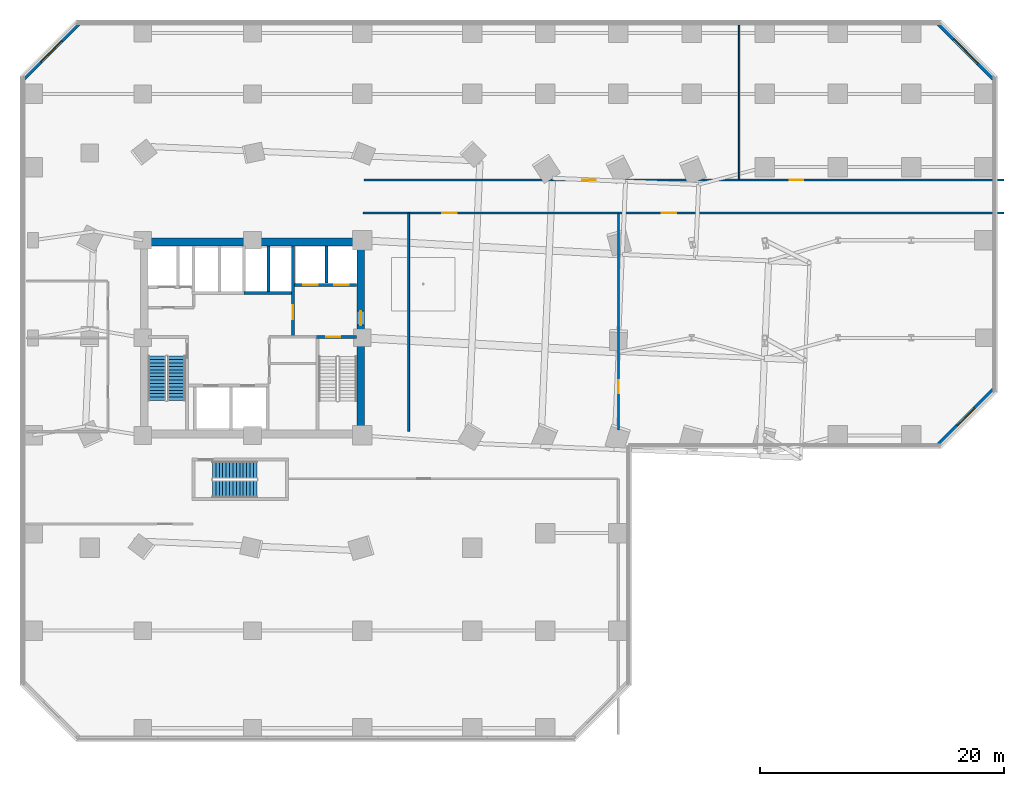
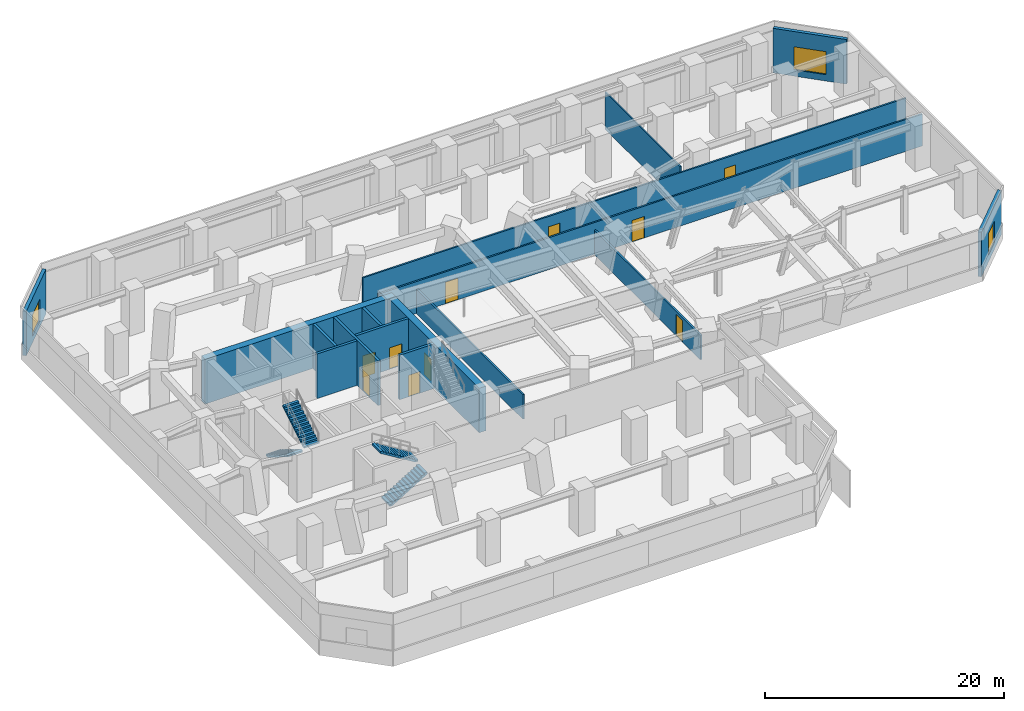
# One storey, part 5 of 14: 16 walls, 10 doors, 4 stair flights, 3 windows, 13 openings, 2 elements without a shape of their own.
"""IFC4 building model written with IfcOpenShell, lengths in metres."""

from ifc_helpers import new_model, si_unit, direction, frame, frame_2d, origin, place, context, subcontext, project, spatial, polyline, rectangle, outline, extrude, source, transform, mapped, material, layer, layer_set, type_object, element, fill, aggregate, save


model = new_model("IFC4")

# Units and contexts
model_context = context("Model", 3, precision=1e-05, world=origin(), true_north=direction((0.0, 1.0)))
body_context = subcontext(model_context, "Body", "Model", "MODEL_VIEW")
ifc_project = project(units=[si_unit("LENGTHUNIT", "METRE"), si_unit("AREAUNIT", "SQUARE_METRE"), si_unit("VOLUMEUNIT", "CUBIC_METRE"), si_unit("PLANEANGLEUNIT", "RADIAN"), si_unit("MASSUNIT", "GRAM", prefix="KILO")], contexts=[model_context])

# Site, building, storey
site_placement = place(None, origin())
site = spatial("IfcSite", under=ifc_project, at=site_placement, CompositionType="ELEMENT")
building_placement = place(site_placement, origin())
building = spatial("IfcBuilding", under=site, at=building_placement, Name="Torre Montelarca", CompositionType="ELEMENT")
storey_placement = place(building_placement, frame((0.0, 0.0, 28.0)))
storey = spatial("IfcBuildingStorey", under=building, at=storey_placement, Name="L06", CompositionType="ELEMENT", Elevation=28.0)

# Wall, opening, door
ifc_material_1 = material(Name="Concrete C40/50", Category="concrete")
ifc_layer_1 = layer(ifc_material_1, 0.25, Name="Concrete C40/50", Category="concrete")
ifc_layer_set_1 = layer_set([ifc_layer_1], Name="Concrete C40/50")
wall_type_1 = type_object("IfcWallType", Name="CW-SHAFT-250", PredefinedType="SHEAR", material=ifc_layer_set_1)
wall_1_placement = place(storey_placement, frame((23.18994140625, 32.074951171875, 0.0), z_axis=(0.0, 0.0, 1.0), x_axis=(1.0, 0.0, 0.0)))
wall_1 = element("IfcWall", 1, at=wall_1_placement, inside=storey, type_object=wall_type_1, Name="L06 Core Shear Wall SH-ST2-N", PredefinedType="SHEAR", context=body_context, shape_type="SweptSolid", body=[
    extrude(rectangle(XDim=3.35009765625, YDim=0.25, at=frame_2d((1.675048828125, 0.0))), origin(), (0.0, 0.0, 1.0), 4.56005859375),
])
opening_1_placement = place(wall_1_placement, frame((0.85009765625, 0.0, 0.0)))
opening_1 = element("IfcOpeningElement", 2, at=opening_1_placement, cuts=wall_1, Name="Opening FD-ST1", PredefinedType="OPENING", context=body_context, shape_type="SweptSolid", body=[
    extrude(rectangle(XDim=1.14990234375, YDim=2.199951171875, at=frame_2d((0.574951171875, 1.10009765625))), frame((0.0, 0.135009765625, 0.0), z_axis=(0.0, -1.0, 0.0), x_axis=(1.0, 0.0, 0.0)), (0.0, 0.0, 1.0), 0.27001953125),
])
ifc_material_2 = material(Name="Galvanized steel fire door", Category="steel")
door_type_1 = type_object("IfcDoorType", Name="DR-STAIR-115", OperationType="NOTDEFINED", PredefinedType="DOOR", material=ifc_material_2)
shared_shape_1 = source(origin(), body_context, "Body", "SweptSolid", [
    extrude(rectangle(XDim=1.14990234375, YDim=2.199951171875, at=frame_2d((0.574951171875, 1.10009765625))), frame((0.0, 0.02490234375, 0.0), z_axis=(0.0, -1.0, 0.0), x_axis=(1.0, 0.0, 0.0)), (0.0, 0.0, 1.0), 0.050048828125),
])
door_1_placement = place(opening_1_placement, origin())
door_1 = element("IfcDoor", 3, at=door_1_placement, inside=storey, type_object=door_type_1, Name="L06 Exit Stair ST2 Fire Door", OperationType="SINGLE_SWING_RIGHT", OverallHeight=2.199951171875, OverallWidth=1.14990234375, PredefinedType="DOOR", context=body_context, shape_type="MappedRepresentation", body=[
    mapped(shared_shape_1, transform((0.0, 0.0, 0.0), scale=1.0)),
])
fill(opening_1, door_1)

wall_2_placement = place(storey_placement, frame((21.320068359375, 32.1201171875, 0.0), z_axis=(0.0, 0.0, 1.0), x_axis=(0.0, 1.0, 0.0)))
wall_2 = element("IfcWall", 4, at=wall_2_placement, inside=storey, type_object=wall_type_1, Name="L06 Core Shear Wall SH-FFL-W", PredefinedType="SHEAR", context=body_context, shape_type="SweptSolid", body=[
    extrude(rectangle(XDim=7.419921875, YDim=0.25, at=frame_2d((3.7099609375, 0.0))), origin(), (0.0, 0.0, 1.0), 4.56005859375),
])
opening_2_placement = place(wall_2_placement, frame((1.39990234375, 0.0, 0.0)))
opening_2 = element("IfcOpeningElement", 5, at=opening_2_placement, cuts=wall_2, Name="Opening FD-LB1", PredefinedType="OPENING", context=body_context, shape_type="SweptSolid", body=[
    extrude(rectangle(XDim=1.14990234375, YDim=2.199951171875, at=frame_2d((0.574951171875, 1.10009765625))), frame((0.0, 0.135009765625, 0.0), z_axis=(0.0, -1.0, 0.0), x_axis=(1.0, 0.0, 0.0)), (0.0, 0.0, 1.0), 0.27001953125),
])
ifc_material_3 = material(Name="Acoustic timber-veneered fire door", Category="wood")
door_type_2 = type_object("IfcDoorType", Name="DR-LOBBY-115", OperationType="NOTDEFINED", PredefinedType="DOOR", material=ifc_material_3)
shared_shape_2 = source(origin(), body_context, "Body", "SweptSolid", [
    extrude(rectangle(XDim=1.14990234375, YDim=2.199951171875, at=frame_2d((0.574951171875, 1.10009765625))), frame((0.0, 0.02490234375, 0.0), z_axis=(0.0, -1.0, 0.0), x_axis=(1.0, 0.0, 0.0)), (0.0, 0.0, 1.0), 0.050048828125),
])
door_2_placement = place(opening_2_placement, origin())
door_2 = element("IfcDoor", 6, at=door_2_placement, inside=storey, type_object=door_type_2, Name="L06 Lift Lobby to Firefighting Lobby Smoke Door", OperationType="SINGLE_SWING_LEFT", OverallHeight=2.199951171875, OverallWidth=1.14990234375, PredefinedType="DOOR", context=body_context, shape_type="MappedRepresentation", body=[
    mapped(shared_shape_2, transform((0.0, 0.0, 0.0), scale=1.0)),
])
fill(opening_2, door_2)

# Wall, openings, doors
wall_3_placement = place(storey_placement, frame((21.449951171875, 36.35009765625, 0.0), z_axis=(0.0, 0.0, 1.0), x_axis=(1.0, 0.0, 0.0)))
wall_3 = element("IfcWall", 7, at=wall_3_placement, inside=storey, type_object=wall_type_1, Name="L06 Core Shear Wall SH-FF-S", PredefinedType="SHEAR", context=body_context, shape_type="SweptSolid", body=[
    extrude(rectangle(XDim=5.090087890625, YDim=0.25, at=frame_2d((2.544921875, 0.0))), origin(), (0.0, 0.0, 1.0), 4.56005859375),
])
opening_3_placement = place(wall_3_placement, frame((0.699951171875, 0.0, 0.0)))
opening_3 = element("IfcOpeningElement", 8, at=opening_3_placement, cuts=wall_3, Name="Opening LD-120", PredefinedType="OPENING", context=body_context, shape_type="SweptSolid", body=[
    extrude(rectangle(XDim=1.199951171875, YDim=2.199951171875, at=frame_2d((0.60009765625, 1.10009765625))), frame((0.0, 0.135009765625, 0.0), z_axis=(0.0, -1.0, 0.0), x_axis=(1.0, 0.0, 0.0)), (0.0, 0.0, 1.0), 0.27001953125),
])
opening_4_placement = place(wall_3_placement, frame((3.25, 0.0, 0.0)))
opening_4 = element("IfcOpeningElement", 9, at=opening_4_placement, cuts=wall_3, Name="Opening LD-120", PredefinedType="OPENING", context=body_context, shape_type="SweptSolid", body=[
    extrude(rectangle(XDim=1.199951171875, YDim=2.199951171875, at=frame_2d((0.60009765625, 1.10009765625))), frame((0.0, 0.135009765625, 0.0), z_axis=(0.0, -1.0, 0.0), x_axis=(1.0, 0.0, 0.0)), (0.0, 0.0, 1.0), 0.27001953125),
])
ifc_material_4 = material(Name="Brushed stainless steel AISI 316", Category="steel")
door_type_3 = type_object("IfcDoorType", Name="DR-LIFT-120", OperationType="SLIDING_TO_RIGHT", PredefinedType="DOOR", material=ifc_material_4)
shared_shape_3 = source(origin(), body_context, "Body", "SweptSolid", [
    extrude(rectangle(XDim=1.199951171875, YDim=2.199951171875, at=frame_2d((0.60009765625, 1.10009765625))), frame((0.0, 0.02490234375, 0.0), z_axis=(0.0, -1.0, 0.0), x_axis=(1.0, 0.0, 0.0)), (0.0, 0.0, 1.0), 0.050048828125),
])
door_3_placement = place(opening_3_placement, origin())
door_3 = element("IfcDoor", 10, at=door_3_placement, inside=storey, type_object=door_type_3, Name="L06 Lift Landing Sliding Door FF-1", OperationType="SLIDING_TO_LEFT", OverallHeight=2.199951171875, OverallWidth=1.199951171875, PredefinedType="DOOR", context=body_context, shape_type="MappedRepresentation", body=[
    mapped(shared_shape_3, transform((0.0, 0.0, 0.0), scale=1.0)),
])
fill(opening_3, door_3)
door_4_placement = place(opening_4_placement, origin())
door_4 = element("IfcDoor", 11, at=door_4_placement, inside=storey, type_object=door_type_3, Name="L06 Lift Landing Sliding Door FF-2", OperationType="SLIDING_TO_RIGHT", OverallHeight=2.199951171875, OverallWidth=1.199951171875, PredefinedType="DOOR", context=body_context, shape_type="MappedRepresentation", body=[
    mapped(shared_shape_3, transform((0.0, 0.0, 0.0), scale=1.0)),
])
fill(opening_4, door_4)

# Walls
wall_4_placement = place(storey_placement, frame((24.080078125, 36.47998046875, 0.0), z_axis=(0.0, 0.0, 1.0), x_axis=(0.0, 1.0, 0.0)))
element("IfcWall", 12, at=wall_4_placement, inside=storey, type_object=wall_type_1, Name="L06 Core Shear Wall SH-FF-M", PredefinedType="SHEAR", context=body_context, shape_type="SweptSolid", body=[
    extrude(rectangle(XDim=3.06005859375, YDim=0.25, at=frame_2d((1.530029296875, 0.0))), origin(), (0.0, 0.0, 1.0), 4.56005859375),
])
wall_5_placement = place(storey_placement, frame((17.320068359375, 35.679931640625, 0.0), z_axis=(0.0, 0.0, 1.0), x_axis=(1.0, 0.0, 0.0)))
element("IfcWall", 13, at=wall_5_placement, inside=storey, type_object=wall_type_1, Name="L06 Core Shear Wall SH-PLH-S", PredefinedType="SHEAR", context=body_context, shape_type="SweptSolid", body=[
    extrude(rectangle(XDim=3.869873046875, YDim=0.25, at=frame_2d((1.93505859375, 0.0))), origin(), (0.0, 0.0, 1.0), 4.56005859375),
])
wall_6_placement = place(storey_placement, frame((19.320068359375, 35.81005859375, 0.0), z_axis=(0.0, 0.0, 1.0), x_axis=(0.0, 1.0, 0.0)))
element("IfcWall", 14, at=wall_6_placement, inside=storey, type_object=wall_type_1, Name="L06 Core Shear Wall SH-PLH-M", PredefinedType="SHEAR", context=body_context, shape_type="SweptSolid", body=[
    extrude(rectangle(XDim=3.72998046875, YDim=0.25, at=frame_2d((1.864990234375, 0.0))), origin(), (0.0, 0.0, 1.0), 4.56005859375),
])

# Wall, opening, door
ifc_material_5 = material(Name="Concrete C70/85", Category="concrete")
ifc_layer_2 = layer(ifc_material_5, 0.64990234375, Name="Concrete C70/85", Category="concrete")
ifc_layer_set_2 = layer_set([ifc_layer_2], Name="Concrete C70/85")
wall_type_2 = type_object("IfcWallType", Name="CW-SHEAR-650", PredefinedType="SHEAR", material=ifc_layer_set_2)
wall_7_placement = place(storey_placement, frame((26.875, 24.449951171875, 0.0), z_axis=(0.0, 0.0, 1.0), x_axis=(0.0, 1.0, 0.0)))
wall_7 = element("IfcWall", 15, at=wall_7_placement, inside=storey, type_object=wall_type_2, Name="L06 Core Shear Wall CW-E", PredefinedType="SHEAR", context=body_context, shape_type="SweptSolid", body=[
    extrude(rectangle(XDim=15.10009765625, YDim=0.64990234375, at=frame_2d((7.550048828125, 0.0))), origin(), (0.0, 0.0, 1.0), 4.56005859375),
])
opening_5_placement = place(wall_7_placement, frame((8.60009765625, 0.0, 0.0)))
opening_5 = element("IfcOpeningElement", 16, at=opening_5_placement, cuts=wall_7, Name="Opening FD-LB1", PredefinedType="OPENING", context=body_context, shape_type="SweptSolid", body=[
    extrude(rectangle(XDim=1.14990234375, YDim=2.199951171875, at=frame_2d((0.574951171875, 1.10009765625))), frame((0.0, 0.3349609375, 0.0), z_axis=(0.0, -1.0, 0.0), x_axis=(1.0, 0.0, 0.0)), (0.0, 0.0, 1.0), 0.669921875),
])
door_5_placement = place(opening_5_placement, origin())
door_5 = element("IfcDoor", 17, at=door_5_placement, inside=storey, type_object=door_type_2, Name="L06 Firefighting Lift Lobby Corridor Fire Door", OperationType="SINGLE_SWING_RIGHT", OverallHeight=2.199951171875, OverallWidth=1.14990234375, PredefinedType="DOOR", context=body_context, shape_type="MappedRepresentation", body=[
    mapped(shared_shape_2, transform((0.0, 0.0, 0.0), scale=1.0)),
])
fill(opening_5, door_5)

# Wall
wall_8_placement = place(storey_placement, frame((8.800048828125, 39.875, 0.0), z_axis=(0.0, 0.0, 1.0), x_axis=(1.0, 0.0, 0.0)))
element("IfcWall", 18, at=wall_8_placement, inside=storey, type_object=wall_type_2, Name="L06 Core Shear Wall CW-N1", PredefinedType="SHEAR", context=body_context, shape_type="SweptSolid", body=[
    extrude(rectangle(XDim=18.39990234375, YDim=0.64990234375, at=frame_2d((9.199951171875, 0.0))), origin(), (0.0, 0.0, 1.0), 4.56005859375),
])

# Wall, opening, window
ifc_material_6 = material(Name="Precast concrete C45/55", Category="concrete")
ifc_layer_3 = layer(ifc_material_6, 0.320068359375, Name="Precast concrete C45/55", Category="concrete")
ifc_layer_set_3 = layer_set([ifc_layer_3], Name="Precast concrete C45/55")
wall_type_3 = type_object("IfcWallType", Name="EW-CONC-320", PredefinedType="SOLIDWALL", material=ifc_layer_set_3)
wall_9_placement = place(storey_placement, frame((74.244384765625, 23.255615234375, 0.0), z_axis=(0.0, 0.0, 1.0), x_axis=(0.707106781187, 0.707106781187, 0.0)))
wall_9 = element("IfcWall", 19, at=wall_9_placement, inside=storey, type_object=wall_type_3, Name="L06 Podium Precast Concrete Wall E05", PredefinedType="SOLIDWALL", context=body_context, shape_type="SweptSolid", body=[
    extrude(rectangle(XDim=6.364013671875, YDim=0.320068359375, at=frame_2d((3.18212890625, 0.0))), origin(), (0.0, 0.0, 1.0), 4.56005859375),
])
opening_6_placement = place(wall_9_placement, frame((2.181884765625, 0.0, 0.64990234375)))
opening_6 = element("IfcOpeningElement", 20, at=opening_6_placement, cuts=wall_9, Name="Opening W-08", PredefinedType="OPENING", context=body_context, shape_type="SweptSolid", body=[
    extrude(rectangle(XDim=2.0, YDim=2.25, at=frame_2d((1.0, 1.125))), frame((0.0, 0.169921875, 0.0), z_axis=(0.0, -1.0, 0.0), x_axis=(1.0, 0.0, 0.0)), (0.0, 0.0, 1.0), 0.340087890625),
])
ifc_material_7 = material(Name="Insulated low-E laminated glass in aluminium frame", Category="aluminium")
window_type_1 = type_object("IfcWindowType", Name="WIN-W08", PartitioningType="DOUBLE_PANEL_HORIZONTAL", PredefinedType="WINDOW", material=ifc_material_7)
shared_shape_4 = source(origin(), body_context, "Body", "SweptSolid", [
    extrude(rectangle(XDim=2.0, YDim=2.25, at=frame_2d((1.0, 1.125))), frame((0.0, 0.030029296875, 0.0), z_axis=(0.0, -1.0, 0.0), x_axis=(1.0, 0.0, 0.0)), (0.0, 0.0, 1.0), 0.06005859375),
])
window_1_placement = place(opening_6_placement, origin())
window_1 = element("IfcWindow", 21, at=window_1_placement, inside=storey, type_object=window_type_1, Name="L06 Podium Chamfer Feature Window E05", OverallHeight=2.25, OverallWidth=2.0, PartitioningType="DOUBLE_PANEL_HORIZONTAL", PredefinedType="WINDOW", context=body_context, shape_type="MappedRepresentation", body=[
    mapped(shared_shape_4, transform((0.0, 0.0, 0.0), scale=1.0)),
])
fill(opening_6, window_1)

wall_10_placement = place(storey_placement, frame((78.744384765625, 53.244384765625, 0.0), z_axis=(0.0, 0.0, 1.0), x_axis=(-0.707106781187, 0.707106781187, 0.0)))
wall_10 = element("IfcWall", 22, at=wall_10_placement, inside=storey, type_object=wall_type_3, Name="L06 Podium Precast Concrete Wall E07", PredefinedType="SOLIDWALL", context=body_context, shape_type="SweptSolid", body=[
    extrude(rectangle(XDim=6.364013671875, YDim=0.320068359375, at=frame_2d((3.18212890625, 0.0))), origin(), (0.0, 0.0, 1.0), 4.56005859375),
])
opening_7_placement = place(wall_10_placement, frame((1.781982421875, 0.0, 0.64990234375)))
opening_7 = element("IfcOpeningElement", 23, at=opening_7_placement, cuts=wall_10, Name="Opening W-02", PredefinedType="OPENING", context=body_context, shape_type="SweptSolid", body=[
    extrude(rectangle(XDim=2.800048828125, YDim=2.35009765625, at=frame_2d((1.39990234375, 1.175048828125))), frame((0.0, 0.169921875, 0.0), z_axis=(0.0, -1.0, 0.0), x_axis=(1.0, 0.0, 0.0)), (0.0, 0.0, 1.0), 0.340087890625),
])
window_type_2 = type_object("IfcWindowType", Name="WIN-W02", PartitioningType="DOUBLE_PANEL_VERTICAL", PredefinedType="WINDOW", material=ifc_material_7)
shared_shape_5 = source(origin(), body_context, "Body", "SweptSolid", [
    extrude(rectangle(XDim=2.800048828125, YDim=2.35009765625, at=frame_2d((1.39990234375, 1.175048828125))), frame((0.0, 0.030029296875, 0.0), z_axis=(0.0, -1.0, 0.0), x_axis=(1.0, 0.0, 0.0)), (0.0, 0.0, 1.0), 0.06005859375),
])
window_2_placement = place(opening_7_placement, origin())
window_2 = element("IfcWindow", 24, at=window_2_placement, inside=storey, type_object=window_type_2, Name="L06 Podium Chamfer Feature Window E07", OverallHeight=2.35009765625, OverallWidth=2.800048828125, PartitioningType="DOUBLE_PANEL_VERTICAL", PredefinedType="WINDOW", context=body_context, shape_type="MappedRepresentation", body=[
    mapped(shared_shape_5, transform((0.0, 0.0, 0.0), scale=1.0)),
])
fill(opening_7, window_2)

wall_11_placement = place(storey_placement, frame((3.755615234375, 57.744384765625, 0.0), z_axis=(0.0, 0.0, 1.0), x_axis=(-0.707106781187, -0.707106781187, 0.0)))
wall_11 = element("IfcWall", 25, at=wall_11_placement, inside=storey, type_object=wall_type_3, Name="L06 Podium Precast Concrete Wall E09", PredefinedType="SOLIDWALL", context=body_context, shape_type="SweptSolid", body=[
    extrude(rectangle(XDim=6.364013671875, YDim=0.320068359375, at=frame_2d((3.18212890625, 0.0))), origin(), (0.0, 0.0, 1.0), 4.56005859375),
])
opening_8_placement = place(wall_11_placement, frame((1.98193359375, 0.0, 0.64990234375)))
opening_8 = element("IfcOpeningElement", 26, at=opening_8_placement, cuts=wall_11, Name="Opening W-04", PredefinedType="OPENING", context=body_context, shape_type="SweptSolid", body=[
    extrude(rectangle(XDim=2.39990234375, YDim=2.199951171875, at=frame_2d((1.199951171875, 1.10009765625))), frame((0.0, 0.169921875, 0.0), z_axis=(0.0, -1.0, 0.0), x_axis=(1.0, 0.0, 0.0)), (0.0, 0.0, 1.0), 0.340087890625),
])
window_type_3 = type_object("IfcWindowType", Name="WIN-W04", PartitioningType="DOUBLE_PANEL_VERTICAL", PredefinedType="WINDOW", material=ifc_material_7)
shared_shape_6 = source(origin(), body_context, "Body", "SweptSolid", [
    extrude(rectangle(XDim=2.39990234375, YDim=2.199951171875, at=frame_2d((1.199951171875, 1.10009765625))), frame((0.0, 0.030029296875, 0.0), z_axis=(0.0, -1.0, 0.0), x_axis=(1.0, 0.0, 0.0)), (0.0, 0.0, 1.0), 0.06005859375),
])
window_3_placement = place(opening_8_placement, origin())
window_3 = element("IfcWindow", 27, at=window_3_placement, inside=storey, type_object=window_type_3, Name="L06 Podium Chamfer Feature Window E09", OverallHeight=2.199951171875, OverallWidth=2.39990234375, PartitioningType="DOUBLE_PANEL_VERTICAL", PredefinedType="WINDOW", context=body_context, shape_type="MappedRepresentation", body=[
    mapped(shared_shape_6, transform((0.0, 0.0, 0.0), scale=1.0)),
])
fill(opening_8, window_3)

# Wall
ifc_material_8 = material(Name="Gypsum plasterboard on steel stud", Category="steel")
ifc_layer_4 = layer(ifc_material_8, 0.159912109375, Name="Gypsum plasterboard on steel stud", Category="steel")
ifc_layer_set_4 = layer_set([ifc_layer_4], Name="Gypsum plasterboard on steel stud")
wall_type_4 = type_object("IfcWallType", Name="PW-FIRE-160", PredefinedType="PARTITIONING", material=ifc_layer_set_4)
wall_12_placement = place(storey_placement, frame((30.800048828125, 24.340087890625, 0.0), z_axis=(0.0, 0.0, 1.0), x_axis=(0.0, 1.0, 0.0)))
element("IfcWall", 28, at=wall_12_placement, inside=storey, type_object=wall_type_4, Name="L06 Interior Partition W-L06-CNW", PredefinedType="PARTITIONING", context=body_context, shape_type="SweptSolid", body=[
    extrude(rectangle(XDim=17.869873046875, YDim=0.159912109375, at=frame_2d((8.93505859375, 0.0))), origin(), (0.0, 0.0, 1.0), 2.5048828125),
])

# Wall, openings, doors
wall_13_placement = place(storey_placement, frame((27.06005859375, 42.25, 0.0), z_axis=(0.0, 0.0, 1.0), x_axis=(1.0, 0.0, 0.0)))
wall_13 = element("IfcWall", 29, at=wall_13_placement, inside=storey, type_object=wall_type_4, Name="L06 Interior Partition W-L06-CN1", PredefinedType="PARTITIONING", context=body_context, shape_type="SweptSolid", body=[
    extrude(rectangle(XDim=52.550048828125, YDim=0.159912109375, at=frame_2d((26.27490234375, 0.0))), origin(), (0.0, 0.0, 1.0), 3.2548828125),
])
opening_9_placement = place(wall_13_placement, frame((6.5, 0.0, 0.0)))
opening_9 = element("IfcOpeningElement", 30, at=opening_9_placement, cuts=wall_13, Name="Opening FD-120", PredefinedType="OPENING", context=body_context, shape_type="SweptSolid", body=[
    extrude(rectangle(XDim=1.199951171875, YDim=2.199951171875, at=frame_2d((0.60009765625, 1.10009765625))), frame((0.0, 0.08984375, 0.0), z_axis=(0.0, -1.0, 0.0), x_axis=(1.0, 0.0, 0.0)), (0.0, 0.0, 1.0), 0.179931640625),
])
opening_10_placement = place(wall_13_placement, frame((24.5, 0.0, 0.0)))
opening_10 = element("IfcOpeningElement", 31, at=opening_10_placement, cuts=wall_13, Name="Opening FD-120", PredefinedType="OPENING", context=body_context, shape_type="SweptSolid", body=[
    extrude(rectangle(XDim=1.199951171875, YDim=2.199951171875, at=frame_2d((0.60009765625, 1.10009765625))), frame((0.0, 0.08984375, 0.0), z_axis=(0.0, -1.0, 0.0), x_axis=(1.0, 0.0, 0.0)), (0.0, 0.0, 1.0), 0.179931640625),
])
door_type_4 = type_object("IfcDoorType", Name="DR-FIRE-120", OperationType="NOTDEFINED", PredefinedType="DOOR", material=ifc_material_2)
shared_shape_7 = source(origin(), body_context, "Body", "SweptSolid", [
    extrude(rectangle(XDim=1.199951171875, YDim=2.199951171875, at=frame_2d((0.60009765625, 1.10009765625))), frame((0.0, 0.02490234375, 0.0), z_axis=(0.0, -1.0, 0.0), x_axis=(1.0, 0.0, 0.0)), (0.0, 0.0, 1.0), 0.050048828125),
])
door_6_placement = place(opening_9_placement, origin())
door_6 = element("IfcDoor", 32, at=door_6_placement, inside=storey, type_object=door_type_4, Name="L06 Interior Door 08", OperationType="SINGLE_SWING_LEFT", OverallHeight=2.199951171875, OverallWidth=1.199951171875, PredefinedType="DOOR", context=body_context, shape_type="MappedRepresentation", body=[
    mapped(shared_shape_7, transform((0.0, 0.0, 0.0), scale=1.0)),
])
fill(opening_9, door_6)
door_7_placement = place(opening_10_placement, origin())
door_7 = element("IfcDoor", 33, at=door_7_placement, inside=storey, type_object=door_type_4, Name="L06 Interior Door 09", OperationType="SINGLE_SWING_RIGHT", OverallHeight=2.199951171875, OverallWidth=1.199951171875, PredefinedType="DOOR", context=body_context, shape_type="MappedRepresentation", body=[
    mapped(shared_shape_7, transform((0.0, 0.0, 0.0), scale=1.0)),
])
fill(opening_10, door_7)

wall_14_placement = place(storey_placement, frame((27.139892578125, 44.949951171875, 0.0), z_axis=(0.0, 0.0, 1.0), x_axis=(1.0, 0.0, 0.0)))
wall_14 = element("IfcWall", 34, at=wall_14_placement, inside=storey, type_object=wall_type_4, Name="L06 Interior Partition W-L06-CN2", PredefinedType="PARTITIONING", context=body_context, shape_type="SweptSolid", body=[
    extrude(rectangle(XDim=52.47021484375, YDim=0.159912109375, at=frame_2d((26.235107421875, 0.0))), origin(), (0.0, 0.0, 1.0), 3.2548828125),
])
opening_11_placement = place(wall_14_placement, frame((17.89990234375, 0.0, 0.0)))
opening_11 = element("IfcOpeningElement", 35, at=opening_11_placement, cuts=wall_14, Name="Opening FD-110", PredefinedType="OPENING", context=body_context, shape_type="SweptSolid", body=[
    extrude(rectangle(XDim=1.10009765625, YDim=2.199951171875, at=frame_2d((0.550048828125, 1.10009765625))), frame((0.0, 0.08984375, 0.0), z_axis=(0.0, -1.0, 0.0), x_axis=(1.0, 0.0, 0.0)), (0.0, 0.0, 1.0), 0.179931640625),
])
opening_12_placement = place(wall_14_placement, frame((34.89990234375, 0.0, 0.0)))
opening_12 = element("IfcOpeningElement", 36, at=opening_12_placement, cuts=wall_14, Name="Opening FD-110", PredefinedType="OPENING", context=body_context, shape_type="SweptSolid", body=[
    extrude(rectangle(XDim=1.10009765625, YDim=2.199951171875, at=frame_2d((0.550048828125, 1.10009765625))), frame((0.0, 0.08984375, 0.0), z_axis=(0.0, -1.0, 0.0), x_axis=(1.0, 0.0, 0.0)), (0.0, 0.0, 1.0), 0.179931640625),
])
ifc_material_9 = material(Name="Timber fire-rated suite door", Category="wood")
door_type_5 = type_object("IfcDoorType", Name="DR-FIRE-110", OperationType="NOTDEFINED", PredefinedType="DOOR", material=ifc_material_9)
shared_shape_8 = source(origin(), body_context, "Body", "SweptSolid", [
    extrude(rectangle(XDim=1.10009765625, YDim=2.199951171875, at=frame_2d((0.550048828125, 1.10009765625))), frame((0.0, 0.02490234375, 0.0), z_axis=(0.0, -1.0, 0.0), x_axis=(1.0, 0.0, 0.0)), (0.0, 0.0, 1.0), 0.050048828125),
])
door_8_placement = place(opening_11_placement, origin())
door_8 = element("IfcDoor", 37, at=door_8_placement, inside=storey, type_object=door_type_5, Name="L06 Interior Door 10", OperationType="SINGLE_SWING_RIGHT", OverallHeight=2.199951171875, OverallWidth=1.10009765625, PredefinedType="DOOR", context=body_context, shape_type="MappedRepresentation", body=[
    mapped(shared_shape_8, transform((0.0, 0.0, 0.0), scale=1.0)),
])
fill(opening_11, door_8)
door_9_placement = place(opening_12_placement, origin())
door_9 = element("IfcDoor", 38, at=door_9_placement, inside=storey, type_object=door_type_5, Name="L06 Interior Door 11", OperationType="SINGLE_SWING_LEFT", OverallHeight=2.199951171875, OverallWidth=1.10009765625, PredefinedType="DOOR", context=body_context, shape_type="MappedRepresentation", body=[
    mapped(shared_shape_8, transform((0.0, 0.0, 0.0), scale=1.0)),
])
fill(opening_12, door_9)

# Wall, opening, door
wall_15_placement = place(storey_placement, frame((48.0, 24.43994140625, 0.0), z_axis=(0.0, 0.0, 1.0), x_axis=(0.0, 1.0, 0.0)))
wall_15 = element("IfcWall", 39, at=wall_15_placement, inside=storey, type_object=wall_type_4, Name="L06 Interior Partition W-L06-HDIV", PredefinedType="PARTITIONING", context=body_context, shape_type="SweptSolid", body=[
    extrude(rectangle(XDim=17.77001953125, YDim=0.159912109375, at=frame_2d((8.885009765625, 0.0))), origin(), (0.0, 0.0, 1.0), 2.5048828125),
])
opening_13_placement = place(wall_15_placement, frame((3.0, 0.0, 0.0)))
opening_13 = element("IfcOpeningElement", 40, at=opening_13_placement, cuts=wall_15, Name="Opening FD-110", PredefinedType="OPENING", context=body_context, shape_type="SweptSolid", body=[
    extrude(rectangle(XDim=1.10009765625, YDim=2.199951171875, at=frame_2d((0.550048828125, 1.10009765625))), frame((0.0, 0.08984375, 0.0), z_axis=(0.0, -1.0, 0.0), x_axis=(1.0, 0.0, 0.0)), (0.0, 0.0, 1.0), 0.179931640625),
])
door_10_placement = place(opening_13_placement, origin())
door_10 = element("IfcDoor", 41, at=door_10_placement, inside=storey, type_object=door_type_5, Name="L06 Interior Door 12", OperationType="SINGLE_SWING_LEFT", OverallHeight=2.199951171875, OverallWidth=1.10009765625, PredefinedType="DOOR", context=body_context, shape_type="MappedRepresentation", body=[
    mapped(shared_shape_8, transform((0.0, 0.0, 0.0), scale=1.0)),
])
fill(opening_13, door_10)

# Wall
ifc_layer_5 = layer(ifc_material_8, 0.114990234375, Name="Gypsum plasterboard on steel stud", Category="steel")
ifc_layer_set_5 = layer_set([ifc_layer_5], Name="Gypsum plasterboard on steel stud")
wall_type_5 = type_object("IfcWallType", Name="PW-PART-115", PredefinedType="PARTITIONING", material=ifc_layer_set_5)
wall_16_placement = place(storey_placement, frame((57.89990234375, 44.989990234375, 0.0), z_axis=(0.0, 0.0, 1.0), x_axis=(0.0, 1.0, 0.0)))
element("IfcWall", 42, at=wall_16_placement, inside=storey, type_object=wall_type_5, Name="L06 Interior Partition W-L06-NM", PredefinedType="PARTITIONING", context=body_context, shape_type="SweptSolid", body=[
    extrude(rectangle(XDim=12.6201171875, YDim=0.114990234375, at=frame_2d((6.31005859375, 0.0))), origin(), (0.0, 0.0, 1.0), 3.79248046875),
])

# Stair, stair flights
stair_type_1 = type_object("IfcStairType", Name="ST-CORE-ST1", PredefinedType="HALF_TURN_STAIR", material=ifc_material_1)
stair_1_placement = place(storey_placement, origin())
stair_1 = element("IfcStair", 43, at=stair_1_placement, inside=storey, type_object=stair_type_1, Name="L06 Protected Exit Stair ST1", PredefinedType="HALF_TURN_STAIR")
stair_flight_type_1 = type_object("IfcStairFlightType", Name="SFL-CORE-ST1", PredefinedType="STRAIGHT", material=ifc_material_1)
stair_flight_1_placement = place(storey_placement, frame((10.175048828125, 30.5, 0.0), z_axis=(0.0, 0.0, 1.0), x_axis=(0.0, -1.0, 0.0)))
stair_flight_1 = element("IfcStairFlight", 44, at=stair_flight_1_placement, type_object=stair_flight_type_1, Name="ST1 flight 1", NumberOfRisers=14, NumberOfTreads=13, PredefinedType="STRAIGHT", RiserHeight=0.171428571, TreadLength=0.28, context=body_context, shape_type="SweptSolid", body=[
    extrude(outline(polyline([(0.0, 0.0), (0.0, 0.17138671875), (0.280029296875, 0.17138671875), (0.280029296875, 0.3427734375), (0.56005859375, 0.3427734375), (0.56005859375, 0.514404296875), (0.840087890625, 0.514404296875), (0.840087890625, 0.685791015625), (1.1201171875, 0.685791015625), (1.1201171875, 0.857177734375), (1.39990234375, 0.857177734375), (1.39990234375, 1.028564453125), (1.679931640625, 1.028564453125), (1.679931640625, 1.199951171875), (1.9599609375, 1.199951171875), (1.9599609375, 1.371337890625), (2.239990234375, 1.371337890625), (2.239990234375, 1.54296875), (2.52001953125, 1.54296875), (2.52001953125, 1.71435546875), (2.800048828125, 1.71435546875), (2.800048828125, 1.8857421875), (3.080078125, 1.8857421875), (3.080078125, 2.05712890625), (3.360107421875, 2.05712890625), (3.360107421875, 2.228515625), (3.639892578125, 2.228515625), (3.639892578125, 2.39990234375), (3.639892578125, 2.052734375), (0.287109375, 0.0), (0.0, 0.0)])), frame((0.0, 0.72509765625, 0.0), z_axis=(0.0, -1.0, 0.0), x_axis=(1.0, 0.0, 0.0)), (0.0, 0.0, 1.0), 1.449951171875),
])
stair_flight_2_placement = place(storey_placement, frame((11.77490234375, 26.860107421875, 2.39990234375), z_axis=(0.0, 0.0, 1.0), x_axis=(0.0, 1.0, 0.0)))
stair_flight_2 = element("IfcStairFlight", 45, at=stair_flight_2_placement, type_object=stair_flight_type_1, Name="ST1 flight 2", NumberOfRisers=14, NumberOfTreads=13, PredefinedType="STRAIGHT", RiserHeight=0.171428571, TreadLength=0.28, context=body_context, shape_type="SweptSolid", body=[
    extrude(outline(polyline([(0.0, 0.0), (0.0, 0.17138671875), (0.280029296875, 0.17138671875), (0.280029296875, 0.3427734375), (0.56005859375, 0.3427734375), (0.56005859375, 0.514404296875), (0.840087890625, 0.514404296875), (0.840087890625, 0.685791015625), (1.1201171875, 0.685791015625), (1.1201171875, 0.857177734375), (1.39990234375, 0.857177734375), (1.39990234375, 1.028564453125), (1.679931640625, 1.028564453125), (1.679931640625, 1.199951171875), (1.9599609375, 1.199951171875), (1.9599609375, 1.371337890625), (2.239990234375, 1.371337890625), (2.239990234375, 1.54296875), (2.52001953125, 1.54296875), (2.52001953125, 1.71435546875), (2.800048828125, 1.71435546875), (2.800048828125, 1.8857421875), (3.080078125, 1.8857421875), (3.080078125, 2.05712890625), (3.360107421875, 2.05712890625), (3.360107421875, 2.228515625), (3.639892578125, 2.228515625), (3.639892578125, 2.39990234375), (3.639892578125, 2.052734375), (0.287109375, 0.0), (0.0, 0.0)])), frame((0.0, 0.72509765625, 0.0), z_axis=(0.0, -1.0, 0.0), x_axis=(1.0, 0.0, 0.0)), (0.0, 0.0, 1.0), 1.449951171875),
])
aggregate(stair_1, [stair_flight_1, stair_flight_2])

stair_type_2 = type_object("IfcStairType", Name="ST-CORE-ST3", PredefinedType="HALF_TURN_STAIR", material=ifc_material_1)
stair_2_placement = place(storey_placement, origin())
stair_2 = element("IfcStair", 46, at=stair_2_placement, inside=storey, type_object=stair_type_2, Name="L06 Low-Rise Exit Stair ST3", PredefinedType="HALF_TURN_STAIR")
stair_flight_type_2 = type_object("IfcStairFlightType", Name="SFL-CORE-ST3", PredefinedType="STRAIGHT", material=ifc_material_1)
stair_flight_3_placement = place(storey_placement, frame((14.719970703125, 19.610107421875, 0.0), z_axis=(0.0, 0.0, 1.0), x_axis=(1.0, 0.0, 0.0)))
stair_flight_3 = element("IfcStairFlight", 47, at=stair_flight_3_placement, type_object=stair_flight_type_2, Name="ST3 flight 1", NumberOfRisers=14, NumberOfTreads=13, PredefinedType="STRAIGHT", RiserHeight=0.171428571, TreadLength=0.28, context=body_context, shape_type="SweptSolid", body=[
    extrude(outline(polyline([(0.0, 0.0), (0.0, 0.17138671875), (0.280029296875, 0.17138671875), (0.280029296875, 0.3427734375), (0.56005859375, 0.3427734375), (0.56005859375, 0.514404296875), (0.840087890625, 0.514404296875), (0.840087890625, 0.685791015625), (1.1201171875, 0.685791015625), (1.1201171875, 0.857177734375), (1.39990234375, 0.857177734375), (1.39990234375, 1.028564453125), (1.679931640625, 1.028564453125), (1.679931640625, 1.199951171875), (1.9599609375, 1.199951171875), (1.9599609375, 1.371337890625), (2.239990234375, 1.371337890625), (2.239990234375, 1.54296875), (2.52001953125, 1.54296875), (2.52001953125, 1.71435546875), (2.800048828125, 1.71435546875), (2.800048828125, 1.8857421875), (3.080078125, 1.8857421875), (3.080078125, 2.05712890625), (3.360107421875, 2.05712890625), (3.360107421875, 2.228515625), (3.639892578125, 2.228515625), (3.639892578125, 2.39990234375), (3.639892578125, 2.052734375), (0.287109375, 0.0), (0.0, 0.0)])), frame((0.0, 0.7099609375, 0.0), z_axis=(0.0, -1.0, 0.0), x_axis=(1.0, 0.0, 0.0)), (0.0, 0.0, 1.0), 1.419921875),
])
stair_flight_4_placement = place(storey_placement, frame((18.360107421875, 21.179931640625, 2.39990234375), z_axis=(0.0, 0.0, 1.0), x_axis=(-1.0, 0.0, 0.0)))
stair_flight_4 = element("IfcStairFlight", 48, at=stair_flight_4_placement, type_object=stair_flight_type_2, Name="ST3 flight 2", NumberOfRisers=14, NumberOfTreads=13, PredefinedType="STRAIGHT", RiserHeight=0.171428571, TreadLength=0.28, context=body_context, shape_type="SweptSolid", body=[
    extrude(outline(polyline([(0.0, 0.0), (0.0, 0.17138671875), (0.280029296875, 0.17138671875), (0.280029296875, 0.3427734375), (0.56005859375, 0.3427734375), (0.56005859375, 0.514404296875), (0.840087890625, 0.514404296875), (0.840087890625, 0.685791015625), (1.1201171875, 0.685791015625), (1.1201171875, 0.857177734375), (1.39990234375, 0.857177734375), (1.39990234375, 1.028564453125), (1.679931640625, 1.028564453125), (1.679931640625, 1.199951171875), (1.9599609375, 1.199951171875), (1.9599609375, 1.371337890625), (2.239990234375, 1.371337890625), (2.239990234375, 1.54296875), (2.52001953125, 1.54296875), (2.52001953125, 1.71435546875), (2.800048828125, 1.71435546875), (2.800048828125, 1.8857421875), (3.080078125, 1.8857421875), (3.080078125, 2.05712890625), (3.360107421875, 2.05712890625), (3.360107421875, 2.228515625), (3.639892578125, 2.228515625), (3.639892578125, 2.39990234375), (3.639892578125, 2.052734375), (0.287109375, 0.0), (0.0, 0.0)])), frame((0.0, 0.7099609375, 0.0), z_axis=(0.0, -1.0, 0.0), x_axis=(1.0, 0.0, 0.0)), (0.0, 0.0, 1.0), 1.419921875),
])
aggregate(stair_2, [stair_flight_3, stair_flight_4])

save(model, "model.ifc")
